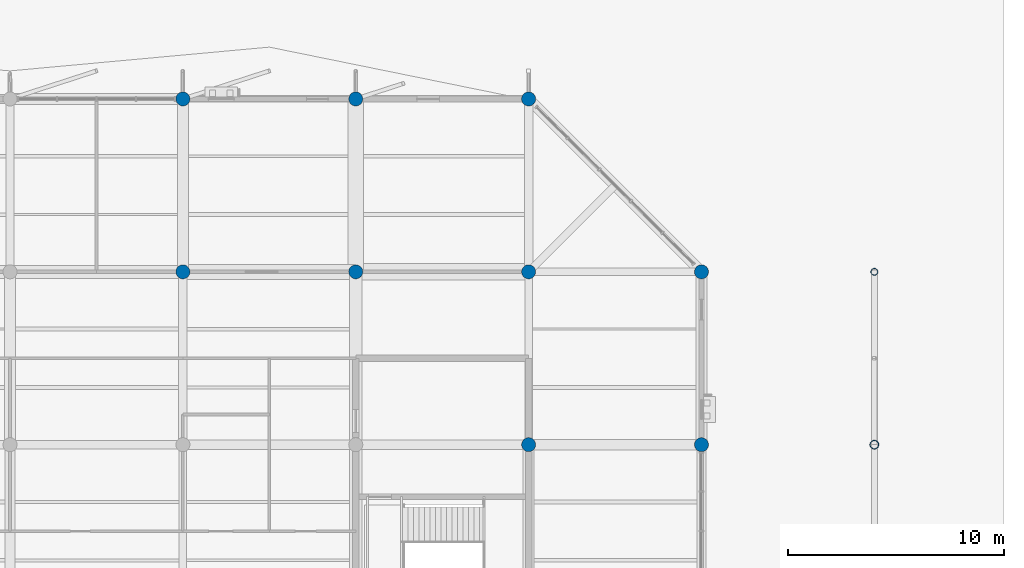
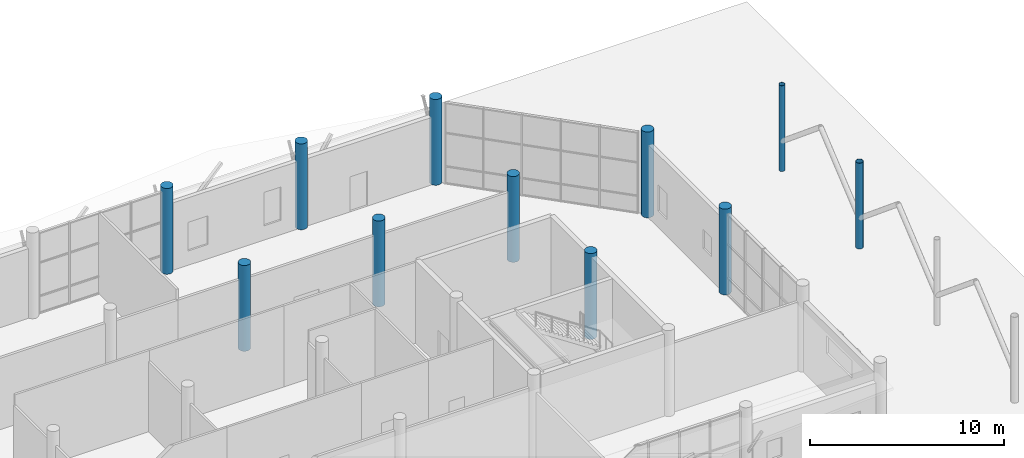
# One storey, part 19 of 123: 11 columns.
"""IFC4 building model written with IfcOpenShell, lengths in metres."""

from ifc_helpers import new_model, si_unit, direction, frame, origin, origin_2d, place, context, subcontext, project, spatial, circle, hollow_circle, extrude, material, material_profile, profile_set, type_object, element, save


model = new_model("IFC4")

# Units and contexts
model_context = context("Model", 3, precision=1e-05, world=origin(), true_north=direction((0.0, 1.0)))
body_context = subcontext(model_context, "Body", "Model", "MODEL_VIEW")
ifc_project = project(units=[si_unit("LENGTHUNIT", "METRE"), si_unit("AREAUNIT", "SQUARE_METRE"), si_unit("VOLUMEUNIT", "CUBIC_METRE"), si_unit("PLANEANGLEUNIT", "RADIAN"), si_unit("MASSUNIT", "GRAM", prefix="KILO")], contexts=[model_context])

# Site, building, storey
site_placement = place(None, origin())
site = spatial("IfcSite", under=ifc_project, at=site_placement, CompositionType="ELEMENT")
building_placement = place(site_placement, origin())
building = spatial("IfcBuilding", under=site, at=building_placement, Name="Tenunan Teduh Sports Hall", CompositionType="ELEMENT")
storey_placement = place(building_placement, origin())
storey = spatial("IfcBuildingStorey", under=building, at=storey_placement, Name="L00", CompositionType="ELEMENT", Elevation=0.0)

# Columns
ifc_material_1 = material(Name="Concrete C40/50", Category="concrete")
ifc_material_profile_1 = material_profile(ifc_material_1, circle(Radius=0.324951171875, at=origin_2d()), Name="RCC D650")
ifc_profile_set_1 = profile_set([ifc_material_profile_1], Name="Concrete C40/50")
column_type_1 = type_object("IfcColumnType", Name="COL-RCC-650", PredefinedType="COLUMN", material=ifc_profile_set_1)
for number, where, z_axis, x_axis, name in (
    (1, (138.0, 110.0, 0.0), (0.0, 0.0, 1.0), (1.0, 0.0, 0.0), "COL-C-21-L00-184"),
    (2, (138.0, 118.0, 0.0), (0.0, 0.0, 1.0), (1.0, 0.0, 0.0), "COL-C-21-L00-185"),
    (3, (146.0, 110.0, 0.0), (0.0, 0.0, 1.0), (1.0, 0.0, 0.0), "COL-C-21-L00-197"),
    (4, (146.0, 118.0, 0.0), (0.0, 0.0, 1.0), (1.0, 0.0, 0.0), "COL-C-21-L00-198"),
    (5, (154.0, 102.0, 0.0), (0.0, 0.0, 1.0), (1.0, 0.0, 0.0), "COL-C-21-L00-209"),
    (6, (154.0, 110.0, 0.0), (0.0, 0.0, 1.0), (1.0, 0.0, 0.0), "COL-C-21-L00-210"),
    (7, (154.0, 118.0, 0.0), (0.0, 0.0, 1.0), (1.0, 0.0, 0.0), "COL-C-21-L00-211"),
    (8, (162.0, 102.0, 0.0), (0.0, 0.0, 1.0), (1.0, 0.0, 0.0), "COL-C-21-L00-218"),
    (9, (162.0, 110.0, 0.0), (0.0, 0.0, 1.0), (1.0, 0.0, 0.0), "COL-C-21-L00-219"),
):
    element("IfcColumn", number, at=place(storey_placement, frame(where, z_axis=z_axis, x_axis=x_axis)), inside=storey, type_object=column_type_1, Name=name, PredefinedType="COLUMN", context=body_context, shape_type="SweptSolid", body=[
        extrude(circle(Radius=0.324951171875, at=origin_2d()), origin(), (0.0, 0.0, 1.0), 5.39990234375),
    ])
ifc_material_2 = material(Name="Steel S355", Category="steel")
ifc_material_profile_2 = material_profile(ifc_material_2, hollow_circle(Radius=0.161865234375, WallThickness=0.012451171875, at=origin_2d()), Name="CHS 323.9x12.5")
ifc_profile_set_2 = profile_set([ifc_material_profile_2], Name="Steel S355")
column_type_2 = type_object("IfcColumnType", Name="COL-ST-CHS324", PredefinedType="COLUMN", material=ifc_profile_set_2)
column_1_placement = place(storey_placement, frame((170.0, 110.0, 0.0), z_axis=(0.0, 0.0, 1.0), x_axis=(1.0, 0.0, 0.0)))
element("IfcColumn", 10, at=column_1_placement, inside=storey, type_object=column_type_2, Name="COL-SC-06-L00-229", PredefinedType="COLUMN", context=body_context, shape_type="SweptSolid", body=[
    extrude(hollow_circle(Radius=0.161865234375, WallThickness=0.012451171875, at=origin_2d()), origin(), (0.0, 0.0, 1.0), 5.39990234375),
])
ifc_material_3 = material(Name="Steel S355", Category="steel")
ifc_material_profile_3 = material_profile(ifc_material_3, hollow_circle(Radius=0.203125, WallThickness=0.01611328125, at=origin_2d()), Name="CHS 406.4x16.0")
ifc_profile_set_3 = profile_set([ifc_material_profile_3], Name="Steel S355")
column_type_3 = type_object("IfcColumnType", Name="COL-ST-CHS406", PredefinedType="COLUMN", material=ifc_profile_set_3)
column_2_placement = place(storey_placement, frame((170.0, 102.0, 0.0), z_axis=(0.0, 0.0, 1.0), x_axis=(1.0, 0.0, 0.0)))
element("IfcColumn", 11, at=column_2_placement, inside=storey, type_object=column_type_3, Name="COL-SC-05-L00-228", PredefinedType="COLUMN", context=body_context, shape_type="SweptSolid", body=[
    extrude(hollow_circle(Radius=0.203125, WallThickness=0.01611328125, at=origin_2d()), origin(), (0.0, 0.0, 1.0), 5.39990234375),
])

save(model, "model.ifc")
